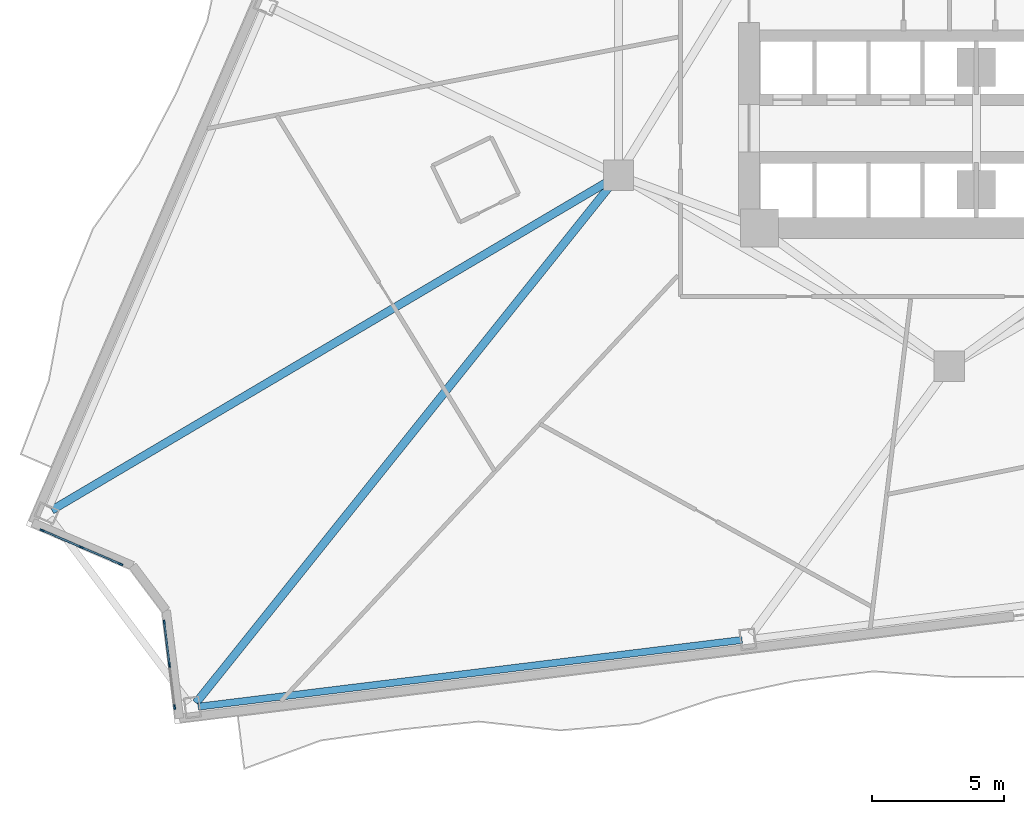
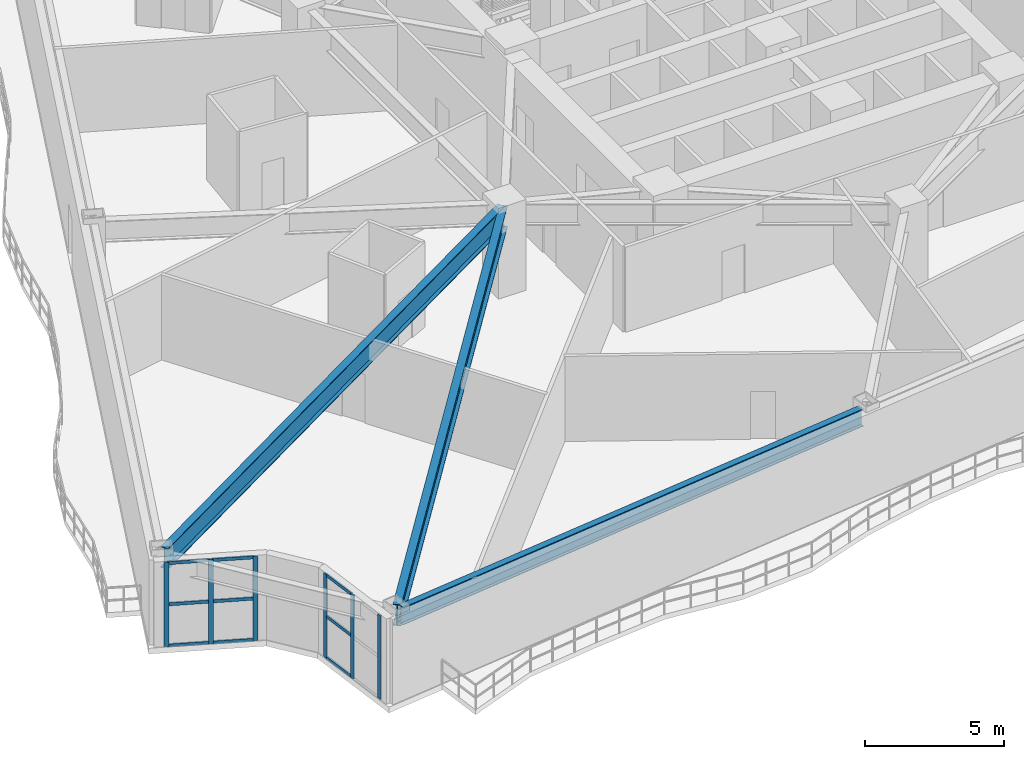
# One storey, part 2 of 17: 15 members, 3 beams, 2 elements without a shape of their own.
"""IFC4 building model written with IfcOpenShell, lengths in metres."""

from ifc_helpers import new_model, si_unit, direction, frame, origin, origin_2d, place, context, subcontext, project, spatial, rectangle, i_section, extrude, material, layer, layer_set, material_profile, profile_set, type_object, element, aggregate, save


model = new_model("IFC4")

# Units and contexts
model_context = context("Model", 3, precision=1e-05, world=origin(), true_north=direction((0.0, 1.0)))
body_context = subcontext(model_context, "Body", "Model", "MODEL_VIEW")
ifc_project = project(units=[si_unit("LENGTHUNIT", "METRE"), si_unit("AREAUNIT", "SQUARE_METRE"), si_unit("VOLUMEUNIT", "CUBIC_METRE"), si_unit("PLANEANGLEUNIT", "RADIAN"), si_unit("MASSUNIT", "GRAM", prefix="KILO")], contexts=[model_context])

# Site, building, storey
site_placement = place(None, origin())
site = spatial("IfcSite", under=ifc_project, at=site_placement, CompositionType="ELEMENT")
building_placement = place(site_placement, origin())
building = spatial("IfcBuilding", under=site, at=building_placement, Name="Apsidion Concourse Tower", CompositionType="ELEMENT")
storey_placement = place(building_placement, frame((0.0, 0.0, 75.0)))
storey = spatial("IfcBuildingStorey", under=building, at=storey_placement, Name="L16", CompositionType="ELEMENT", Elevation=75.0)

# Beams
ifc_material_1 = material(Name="Structural steel ASTM A992 Grade 50", Category="steel")
ifc_material_profile_1 = material_profile(ifc_material_1, i_section(OverallWidth=0.31005859375, OverallDepth=0.931884765625, WebThickness=0.02099609375, FlangeThickness=0.034423828125, at=origin_2d()), Name="W36X210")
ifc_profile_set_1 = profile_set([ifc_material_profile_1], Name="Structural steel ASTM A992 Grade 50")
beam_type_1 = type_object("IfcBeamType", Name="BM-G-W36", PredefinedType="USERDEFINED", material=ifc_profile_set_1)
beam_1_placement = place(storey_placement, frame((-12.74951171875, -7.36181640625, 3.283935546875), z_axis=(-0.860932809824, -0.508718681561, 0.0), x_axis=(0.508718681561, -0.860932809824, 0.0)))
element("IfcBeam", 1, at=beam_1_placement, inside=storey, type_object=beam_type_1, Name="L16 Radial Floor Girder RAD-04", ObjectType="GIRDER", PredefinedType="USERDEFINED", context=body_context, shape_type="SweptSolid", body=[
    extrude(i_section(OverallWidth=0.31005859375, OverallDepth=0.931884765625, WebThickness=0.02099609375, FlangeThickness=0.034423828125, at=origin_2d()), origin(), (0.0, 0.0, 1.0), 24.759765625),
])
beam_2_placement = place(storey_placement, frame((-12.697509765625, -7.421630859375, 3.283935546875), z_axis=(-0.624987708563, -0.780634590667, 0.0), x_axis=(0.780634590667, -0.624987708563, 0.0)))
element("IfcBeam", 2, at=beam_2_placement, inside=storey, type_object=beam_type_1, Name="L16 Radial Floor Girder RAD-05", ObjectType="GIRDER", PredefinedType="USERDEFINED", context=body_context, shape_type="SweptSolid", body=[
    extrude(i_section(OverallWidth=0.31005859375, OverallDepth=0.931884765625, WebThickness=0.02099609375, FlangeThickness=0.034423828125, at=origin_2d()), origin(), (0.0, 0.0, 1.0), 25.429443359375),
])
ifc_material_profile_2 = material_profile(ifc_material_1, i_section(OverallWidth=0.26806640625, OverallDepth=0.77001953125, WebThickness=0.015625, FlangeThickness=0.025390625, at=origin_2d()), Name="W30X132")
ifc_profile_set_2 = profile_set([ifc_material_profile_2], Name="Structural steel ASTM A992 Grade 50")
beam_type_2 = type_object("IfcBeamType", Name="BM-SP-W30", PredefinedType="SPANDREL", material=ifc_profile_set_2)
beam_3_placement = place(storey_placement, frame((-28.509765625, -27.41748046875, 3.364990234375), z_axis=(0.992546743565, 0.121864522478, 0.0), x_axis=(-0.121864522478, 0.992546743565, 0.0)))
element("IfcBeam", 3, at=beam_3_placement, inside=storey, type_object=beam_type_2, Name="L16 Perimeter Spandrel Girder SP-05", PredefinedType="SPANDREL", context=body_context, shape_type="SweptSolid", body=[
    extrude(i_section(OverallWidth=0.26806640625, OverallDepth=0.77001953125, WebThickness=0.015625, FlangeThickness=0.025390625, at=origin_2d()), origin(), (0.0, 0.0, 1.0), 20.799072265625),
])

# Curtain wall, members
ifc_material_2 = material(Name="Insulated laminated low-E glass", Category="glass")
ifc_layer = layer(ifc_material_2, 0.219970703125)
ifc_layer_set = layer_set([ifc_layer], Name="Insulated laminated low-E glass")
curtain_wall_type = type_object("IfcCurtainWallType", Name="CW-SYS-04", PredefinedType="NOTDEFINED", material=ifc_layer_set)
curtain_wall_1_placement = place(storey_placement, origin())
curtain_wall_1 = element("IfcCurtainWall", 4, at=curtain_wall_1_placement, inside=storey, type_object=curtain_wall_type, Name="L16 Corner Lounge Box Curtain Wall 6", PredefinedType="NOTDEFINED")
ifc_material_3 = material(Name="Anodised aluminium EN AW-6063 T6", Category="aluminium")
ifc_material_profile_3 = material_profile(ifc_material_3, rectangle(XDim=0.06494140625, YDim=0.179931640625, at=origin_2d()), Name="ALU MULLION 65x180")
ifc_profile_set_3 = profile_set([ifc_material_profile_3], Name="Anodised aluminium EN AW-6063 T6")
member_type_1 = type_object("IfcMemberType", Name="CWM-65X180", PredefinedType="MULLION", material=ifc_profile_set_3)
member_1_placement = place(storey_placement, frame((-29.40283203125, -27.43115234375, 0.0), z_axis=(0.0, 0.0, 1.0), x_axis=(-0.992544804906, -0.121880311182, 0.0)))
member_1 = element("IfcMember", 5, at=member_1_placement, type_object=member_type_1, Name="CW-04 mullion 1", PredefinedType="MULLION", context=body_context, shape_type="SweptSolid", body=[
    extrude(rectangle(XDim=0.06494140625, YDim=0.179931640625, at=origin_2d()), origin(), (0.0, 0.0, 1.0), 3.699951171875),
])
member_2_placement = place(storey_placement, frame((-29.60009765625, -25.824462890625, 0.0), z_axis=(0.0, 0.0, 1.0), x_axis=(-0.992544804906, -0.121880311182, 0.0)))
member_2 = element("IfcMember", 6, at=member_2_placement, type_object=member_type_1, Name="CW-04 mullion 2", PredefinedType="MULLION", context=body_context, shape_type="SweptSolid", body=[
    extrude(rectangle(XDim=0.06494140625, YDim=0.179931640625, at=origin_2d()), origin(), (0.0, 0.0, 1.0), 3.699951171875),
])
member_3_placement = place(storey_placement, frame((-29.79736328125, -24.2177734375, 0.0), z_axis=(0.0, 0.0, 1.0), x_axis=(-0.992544804906, -0.121880311182, 0.0)))
member_3 = element("IfcMember", 7, at=member_3_placement, type_object=member_type_1, Name="CW-04 mullion 3", PredefinedType="MULLION", context=body_context, shape_type="SweptSolid", body=[
    extrude(rectangle(XDim=0.06494140625, YDim=0.179931640625, at=origin_2d()), origin(), (0.0, 0.0, 1.0), 3.699951171875),
])

curtain_wall_2_placement = place(storey_placement, origin())
curtain_wall_2 = element("IfcCurtainWall", 8, at=curtain_wall_2_placement, inside=storey, type_object=curtain_wall_type, Name="L16 Corner Lounge Box Curtain Wall 8", PredefinedType="NOTDEFINED")
member_4_placement = place(storey_placement, frame((-31.4560546875, -22.005126953125, 0.0), z_axis=(0.0, 0.0, 1.0), x_axis=(-0.395431740748, -0.918495366569, 0.0)))
member_4 = element("IfcMember", 9, at=member_4_placement, type_object=member_type_1, Name="CW-04 mullion 1", PredefinedType="MULLION", context=body_context, shape_type="SweptSolid", body=[
    extrude(rectangle(XDim=0.06494140625, YDim=0.179931640625, at=origin_2d()), origin(), (0.0, 0.0, 1.0), 3.699951171875),
])
member_5_placement = place(storey_placement, frame((-32.94287109375, -21.364990234375, 0.0), z_axis=(0.0, 0.0, 1.0), x_axis=(-0.395431740748, -0.918495366569, 0.0)))
member_5 = element("IfcMember", 10, at=member_5_placement, type_object=member_type_1, Name="CW-04 mullion 2", PredefinedType="MULLION", context=body_context, shape_type="SweptSolid", body=[
    extrude(rectangle(XDim=0.06494140625, YDim=0.179931640625, at=origin_2d()), origin(), (0.0, 0.0, 1.0), 3.699951171875),
])
member_6_placement = place(storey_placement, frame((-34.4296875, -20.724853515625, 0.0), z_axis=(0.0, 0.0, 1.0), x_axis=(-0.395431740748, -0.918495366569, 0.0)))
member_6 = element("IfcMember", 11, at=member_6_placement, type_object=member_type_1, Name="CW-04 mullion 3", PredefinedType="MULLION", context=body_context, shape_type="SweptSolid", body=[
    extrude(rectangle(XDim=0.06494140625, YDim=0.179931640625, at=origin_2d()), origin(), (0.0, 0.0, 1.0), 3.699951171875),
])

# Member
ifc_material_profile_4 = material_profile(ifc_material_3, rectangle(XDim=0.06494140625, YDim=0.139892578125, at=origin_2d()), Name="ALU TRANSOM 65x140")
ifc_profile_set_4 = profile_set([ifc_material_profile_4], Name="Anodised aluminium EN AW-6063 T6")
member_type_2 = type_object("IfcMemberType", Name="CWT-65X140", PredefinedType="USERDEFINED", material=ifc_profile_set_4)
member_7_placement = place(storey_placement, frame((-29.60400390625, -25.792236328125, 0.032470703125), z_axis=(-0.121926603855, 0.992539119266, 0.0), x_axis=(-0.992539119266, -0.121926603855, 0.0)))
member_7 = element("IfcMember", 12, at=member_7_placement, type_object=member_type_2, Name="CW-04 transom 2.1", ObjectType="TRANSOM", PredefinedType="USERDEFINED", context=body_context, shape_type="SweptSolid", body=[
    extrude(rectangle(XDim=0.06494140625, YDim=0.139892578125, at=origin_2d()), origin(), (0.0, 0.0, 1.0), 1.5537109375),
])

member_8_placement = place(storey_placement, frame((-29.60400390625, -25.792236328125, 1.85009765625), z_axis=(-0.121926603855, 0.992539119266, 0.0), x_axis=(-0.992539119266, -0.121926603855, 0.0)))
member_8 = element("IfcMember", 13, at=member_8_placement, type_object=member_type_2, Name="CW-04 transom 2.2", ObjectType="TRANSOM", PredefinedType="USERDEFINED", context=body_context, shape_type="SweptSolid", body=[
    extrude(rectangle(XDim=0.06494140625, YDim=0.139892578125, at=origin_2d()), origin(), (0.0, 0.0, 1.0), 1.5537109375),
])

member_9_placement = place(storey_placement, frame((-29.60400390625, -25.792236328125, 3.66748046875), z_axis=(-0.121926603855, 0.992539119266, 0.0), x_axis=(-0.992539119266, -0.121926603855, 0.0)))
member_9 = element("IfcMember", 14, at=member_9_placement, type_object=member_type_2, Name="CW-04 transom 2.3", ObjectType="TRANSOM", PredefinedType="USERDEFINED", context=body_context, shape_type="SweptSolid", body=[
    extrude(rectangle(XDim=0.06494140625, YDim=0.139892578125, at=origin_2d()), origin(), (0.0, 0.0, 1.0), 1.5537109375),
])

aggregate(curtain_wall_1, [member_1, member_2, member_3, member_7, member_8, member_9])

member_10_placement = place(storey_placement, frame((-31.48583984375, -21.9921875, 0.032470703125), z_axis=(-0.918542556009, 0.395322112713, 0.0), x_axis=(-0.395322112713, -0.918542556009, 0.0)))
member_10 = element("IfcMember", 15, at=member_10_placement, type_object=member_type_2, Name="CW-04 transom 1.1", ObjectType="TRANSOM", PredefinedType="USERDEFINED", context=body_context, shape_type="SweptSolid", body=[
    extrude(rectangle(XDim=0.06494140625, YDim=0.139892578125, at=origin_2d()), origin(), (0.0, 0.0, 1.0), 1.5537109375),
])

member_11_placement = place(storey_placement, frame((-31.48583984375, -21.9921875, 1.85009765625), z_axis=(-0.918542556009, 0.395322112713, 0.0), x_axis=(-0.395322112713, -0.918542556009, 0.0)))
member_11 = element("IfcMember", 16, at=member_11_placement, type_object=member_type_2, Name="CW-04 transom 1.2", ObjectType="TRANSOM", PredefinedType="USERDEFINED", context=body_context, shape_type="SweptSolid", body=[
    extrude(rectangle(XDim=0.06494140625, YDim=0.139892578125, at=origin_2d()), origin(), (0.0, 0.0, 1.0), 1.5537109375),
])

member_12_placement = place(storey_placement, frame((-31.48583984375, -21.9921875, 3.66748046875), z_axis=(-0.918542556009, 0.395322112713, 0.0), x_axis=(-0.395322112713, -0.918542556009, 0.0)))
member_12 = element("IfcMember", 17, at=member_12_placement, type_object=member_type_2, Name="CW-04 transom 1.3", ObjectType="TRANSOM", PredefinedType="USERDEFINED", context=body_context, shape_type="SweptSolid", body=[
    extrude(rectangle(XDim=0.06494140625, YDim=0.139892578125, at=origin_2d()), origin(), (0.0, 0.0, 1.0), 1.5537109375),
])

member_13_placement = place(storey_placement, frame((-32.97265625, -21.352294921875, 0.032470703125), z_axis=(-0.918485495363, 0.395454668462, 0.0), x_axis=(-0.395454668462, -0.918485495363, 0.0)))
member_13 = element("IfcMember", 18, at=member_13_placement, type_object=member_type_2, Name="CW-04 transom 2.1", ObjectType="TRANSOM", PredefinedType="USERDEFINED", context=body_context, shape_type="SweptSolid", body=[
    extrude(rectangle(XDim=0.06494140625, YDim=0.139892578125, at=origin_2d()), origin(), (0.0, 0.0, 1.0), 1.553955078125),
])

member_14_placement = place(storey_placement, frame((-32.97265625, -21.352294921875, 1.85009765625), z_axis=(-0.918485495363, 0.395454668462, 0.0), x_axis=(-0.395454668462, -0.918485495363, 0.0)))
member_14 = element("IfcMember", 19, at=member_14_placement, type_object=member_type_2, Name="CW-04 transom 2.2", ObjectType="TRANSOM", PredefinedType="USERDEFINED", context=body_context, shape_type="SweptSolid", body=[
    extrude(rectangle(XDim=0.06494140625, YDim=0.139892578125, at=origin_2d()), origin(), (0.0, 0.0, 1.0), 1.553955078125),
])

member_15_placement = place(storey_placement, frame((-32.97265625, -21.352294921875, 3.66748046875), z_axis=(-0.918485495363, 0.395454668462, 0.0), x_axis=(-0.395454668462, -0.918485495363, 0.0)))
member_15 = element("IfcMember", 20, at=member_15_placement, type_object=member_type_2, Name="CW-04 transom 2.3", ObjectType="TRANSOM", PredefinedType="USERDEFINED", context=body_context, shape_type="SweptSolid", body=[
    extrude(rectangle(XDim=0.06494140625, YDim=0.139892578125, at=origin_2d()), origin(), (0.0, 0.0, 1.0), 1.553955078125),
])

aggregate(curtain_wall_2, [member_4, member_5, member_6, member_10, member_11, member_12, member_13, member_14, member_15])

save(model, "model.ifc")
